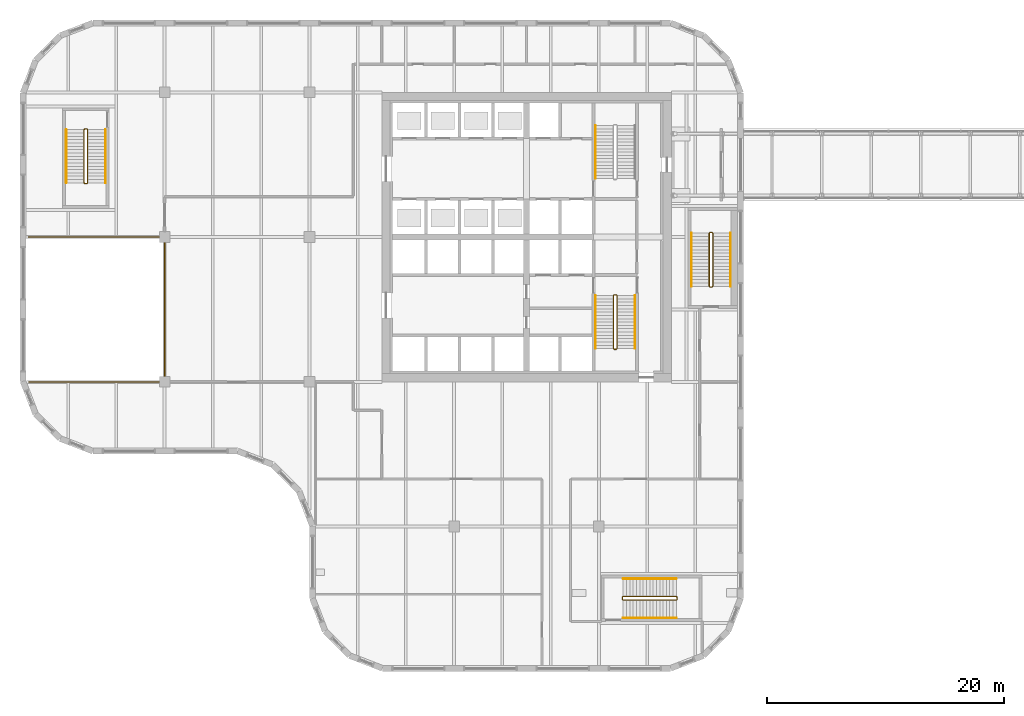
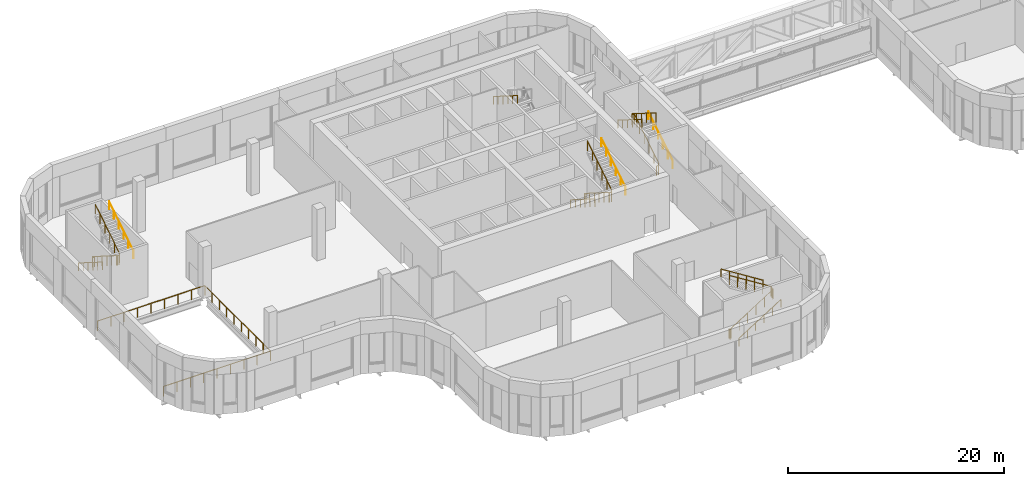
# One storey, part 33 of 36: 14 railings.
"""IFC4 building model written with IfcOpenShell, lengths in metres."""

from ifc_helpers import new_model, si_unit, direction, frame, origin, origin_2d, place, context, subcontext, project, spatial, circle, extrude, material, type_object, element, save


model = new_model("IFC4")

# Units and contexts
model_context = context("Model", 3, precision=1e-05, world=origin(), true_north=direction((0.0, 1.0)))
body_context = subcontext(model_context, "Body", "Model", "MODEL_VIEW")
ifc_project = project(units=[si_unit("LENGTHUNIT", "METRE"), si_unit("AREAUNIT", "SQUARE_METRE"), si_unit("VOLUMEUNIT", "CUBIC_METRE"), si_unit("PLANEANGLEUNIT", "RADIAN"), si_unit("MASSUNIT", "GRAM", prefix="KILO")], contexts=[model_context])

# Site, building, storey
site_placement = place(None, origin())
site = spatial("IfcSite", under=ifc_project, at=site_placement, CompositionType="ELEMENT")
building_placement = place(site_placement, origin())
building = spatial("IfcBuilding", under=site, at=building_placement, Name="Tessera Gate Towers", CompositionType="ELEMENT")
storey_placement = place(building_placement, frame((0.0, 0.0, 106.60009765625)))
storey = spatial("IfcBuildingStorey", under=building, at=storey_placement, Name="L26", CompositionType="ELEMENT", Elevation=106.60009765625)

# Railings
ifc_material_1 = material(Name="Toughened glass with stainless steel handrail", Category="steel")
railing_type_1 = type_object("IfcRailingType", Name="GUARD 1100 GLASS BALUSTRADE", PredefinedType="GUARDRAIL", material=ifc_material_1)
railing_1_placement = place(storey_placement, frame((0.750244140625, 24.39990234375, 0.0)))
element("IfcRailing", 1, at=railing_1_placement, inside=storey, type_object=railing_type_1, Name="Guard", PredefinedType="GUARDRAIL", context=body_context, shape_type="SweptSolid", body=[
    extrude(circle(Radius=0.02490234375, at=origin_2d()), frame((0.0, 0.0, 1.0751953125), z_axis=(1.0, 0.0, 0.0), x_axis=(0.0, 1.0, 0.0)), (0.0, 0.0, 1.0), 11.44970703125),
    extrude(circle(Radius=0.02490234375, at=origin_2d()), frame((11.44970703125, 0.0, 1.0751953125), z_axis=(0.0, 1.0, 0.0), x_axis=(-1.0, 0.0, 0.0)), (0.0, 0.0, 1.0), 12.2001953125),
    extrude(circle(Radius=0.02490234375, at=origin_2d()), frame((11.44970703125, 12.2001953125, 1.0751953125), z_axis=(-1.0, 0.0, 0.0), x_axis=(0.0, -1.0, 0.0)), (0.0, 0.0, 1.0), 11.5),
    extrude(circle(Radius=0.02490234375, at=origin_2d()), origin(), (0.0, 0.0, 1.0), 1.050048828125),
    extrude(circle(Radius=0.02490234375, at=origin_2d()), frame((1.43115234375, 0.0, 0.0)), (0.0, 0.0, 1.0), 1.050048828125),
    extrude(circle(Radius=0.02490234375, at=origin_2d()), frame((2.8623046875, 0.0, 0.0)), (0.0, 0.0, 1.0), 1.050048828125),
    extrude(circle(Radius=0.02490234375, at=origin_2d()), frame((4.293701171875, 0.0, 0.0)), (0.0, 0.0, 1.0), 1.050048828125),
    extrude(circle(Radius=0.02490234375, at=origin_2d()), frame((5.724853515625, 0.0, 0.0)), (0.0, 0.0, 1.0), 1.050048828125),
    extrude(circle(Radius=0.02490234375, at=origin_2d()), frame((7.156005859375, 0.0, 0.0)), (0.0, 0.0, 1.0), 1.050048828125),
    extrude(circle(Radius=0.02490234375, at=origin_2d()), frame((8.58740234375, 0.0, 0.0)), (0.0, 0.0, 1.0), 1.050048828125),
    extrude(circle(Radius=0.02490234375, at=origin_2d()), frame((10.0185546875, 0.0, 0.0)), (0.0, 0.0, 1.0), 1.050048828125),
    extrude(circle(Radius=0.02490234375, at=origin_2d()), frame((11.44970703125, 0.0, 0.0)), (0.0, 0.0, 1.0), 1.050048828125),
    extrude(circle(Radius=0.02490234375, at=origin_2d()), frame((11.44970703125, 1.35546875, 0.0)), (0.0, 0.0, 1.0), 1.050048828125),
    extrude(circle(Radius=0.02490234375, at=origin_2d()), frame((11.44970703125, 2.711181640625, 0.0)), (0.0, 0.0, 1.0), 1.050048828125),
    extrude(circle(Radius=0.02490234375, at=origin_2d()), frame((11.44970703125, 4.066650390625, 0.0)), (0.0, 0.0, 1.0), 1.050048828125),
    extrude(circle(Radius=0.02490234375, at=origin_2d()), frame((11.44970703125, 5.42236328125, 0.0)), (0.0, 0.0, 1.0), 1.050048828125),
    extrude(circle(Radius=0.02490234375, at=origin_2d()), frame((11.44970703125, 6.77783203125, 0.0)), (0.0, 0.0, 1.0), 1.050048828125),
    extrude(circle(Radius=0.02490234375, at=origin_2d()), frame((11.44970703125, 8.133544921875, 0.0)), (0.0, 0.0, 1.0), 1.050048828125),
    extrude(circle(Radius=0.02490234375, at=origin_2d()), frame((11.44970703125, 9.489013671875, 0.0)), (0.0, 0.0, 1.0), 1.050048828125),
    extrude(circle(Radius=0.02490234375, at=origin_2d()), frame((11.44970703125, 10.8447265625, 0.0)), (0.0, 0.0, 1.0), 1.050048828125),
    extrude(circle(Radius=0.02490234375, at=origin_2d()), frame((11.44970703125, 12.2001953125, 0.0)), (0.0, 0.0, 1.0), 1.050048828125),
    extrude(circle(Radius=0.02490234375, at=origin_2d()), frame((10.01220703125, 12.2001953125, 0.0)), (0.0, 0.0, 1.0), 1.050048828125),
    extrude(circle(Radius=0.02490234375, at=origin_2d()), frame((8.57470703125, 12.2001953125, 0.0)), (0.0, 0.0, 1.0), 1.050048828125),
    extrude(circle(Radius=0.02490234375, at=origin_2d()), frame((7.13720703125, 12.2001953125, 0.0)), (0.0, 0.0, 1.0), 1.050048828125),
    extrude(circle(Radius=0.02490234375, at=origin_2d()), frame((5.69970703125, 12.2001953125, 0.0)), (0.0, 0.0, 1.0), 1.050048828125),
    extrude(circle(Radius=0.02490234375, at=origin_2d()), frame((4.26220703125, 12.2001953125, 0.0)), (0.0, 0.0, 1.0), 1.050048828125),
    extrude(circle(Radius=0.02490234375, at=origin_2d()), frame((2.82470703125, 12.2001953125, 0.0)), (0.0, 0.0, 1.0), 1.050048828125),
    extrude(circle(Radius=0.02490234375, at=origin_2d()), frame((1.38720703125, 12.2001953125, 0.0)), (0.0, 0.0, 1.0), 1.050048828125),
    extrude(circle(Radius=0.02490234375, at=origin_2d()), frame((-0.05029296875, 12.2001953125, 0.0)), (0.0, 0.0, 1.0), 1.050048828125),
])
ifc_material_2 = material(Name="Steel 350W", Category="steel")
railing_type_2 = type_object("IfcRailingType", Name="STAIR GUARD 1100", PredefinedType="GUARDRAIL", material=ifc_material_2)
railing_2_placement = place(storey_placement, frame((50.27490234375, 31.72509765625, 0.0)))
element("IfcRailing", 2, at=railing_2_placement, inside=storey, type_object=railing_type_2, Name="L26 ST1 stair guard 1", PredefinedType="GUARDRAIL", context=body_context, shape_type="SweptSolid", body=[
    extrude(circle(Radius=0.02392578125, at=origin_2d()), frame((0.0, 0.0, 1.076171875), z_axis=(-1.0, 0.0, 0.0), x_axis=(0.0, -1.0, 0.0)), (0.0, 0.0, 1.0), 0.199951171875),
    extrude(circle(Radius=0.02392578125, at=origin_2d()), frame((-0.199951171875, 0.0, 1.076171875), z_axis=(-0.263485261471, -0.263485261471, 0.927982237963), x_axis=(0.707106781187, -0.707106781187, 0.0)), (0.0, 0.0, 1.0), 0.18994140625),
    extrude(circle(Radius=0.02392578125, at=origin_2d()), frame((-0.25, -0.050048828125, 1.25244140625), z_axis=(0.0, -0.845977142166, 0.533219162196), x_axis=(1.0, 0.0, 0.0)), (0.0, 0.0, 1.0), 5.295654296875),
    extrude(circle(Radius=0.02392578125, at=origin_2d()), frame((-0.25, -4.530029296875, 4.076171875), z_axis=(0.707106781187, -0.707106781187, 0.0), x_axis=(0.707106781187, 0.707106781187, 0.0)), (0.0, 0.0, 1.0), 0.07080078125),
    extrude(circle(Radius=0.02392578125, at=origin_2d()), frame((-0.199951171875, -4.580078125, 4.076171875), z_axis=(1.0, 0.0, 0.0), x_axis=(0.0, 1.0, 0.0)), (0.0, 0.0, 1.0), 0.199951171875),
    extrude(circle(Radius=0.02392578125, at=origin_2d()), frame((0.0, -4.580078125, 4.076171875), z_axis=(0.263485261471, 0.263485261471, 0.927982237963), x_axis=(-0.707106781187, 0.707106781187, 0.0)), (0.0, 0.0, 1.0), 0.18994140625),
    extrude(circle(Radius=0.02392578125, at=origin_2d()), frame((0.050048828125, -4.530029296875, 4.25244140625), z_axis=(0.0, 0.845977142166, 0.533219162196), x_axis=(-1.0, 0.0, 0.0)), (0.0, 0.0, 1.0), 5.295654296875),
    extrude(circle(Radius=0.02099609375, at=origin_2d()), origin(), (0.0, 0.0, 1.0), 1.052001953125),
    extrude(circle(Radius=0.02099609375, at=origin_2d()), frame((-0.199951171875, 0.0, 0.0)), (0.0, 0.0, 1.0), 1.052001953125),
    extrude(circle(Radius=0.02099609375, at=origin_2d()), frame((-0.25, -0.050048828125, 0.17626953125)), (0.0, 0.0, 1.0), 1.052001953125),
    extrude(circle(Radius=0.02099609375, at=origin_2d()), frame((-0.25, -0.946044921875, 0.740966796875)), (0.0, 0.0, 1.0), 1.052001953125),
    extrude(circle(Radius=0.02099609375, at=origin_2d()), frame((-0.25, -1.842041015625, 1.3056640625)), (0.0, 0.0, 1.0), 1.052001953125),
    extrude(circle(Radius=0.02099609375, at=origin_2d()), frame((-0.25, -2.738037109375, 1.87060546875)), (0.0, 0.0, 1.0), 1.052001953125),
    extrude(circle(Radius=0.02099609375, at=origin_2d()), frame((-0.25, -3.634033203125, 2.435302734375)), (0.0, 0.0, 1.0), 1.052001953125),
    extrude(circle(Radius=0.02099609375, at=origin_2d()), frame((-0.25, -4.530029296875, 3.0)), (0.0, 0.0, 1.0), 1.052001953125),
    extrude(circle(Radius=0.02099609375, at=origin_2d()), frame((-0.199951171875, -4.580078125, 3.0)), (0.0, 0.0, 1.0), 1.052001953125),
    extrude(circle(Radius=0.02099609375, at=origin_2d()), frame((0.0, -4.580078125, 3.0)), (0.0, 0.0, 1.0), 1.052001953125),
    extrude(circle(Radius=0.02099609375, at=origin_2d()), frame((0.050048828125, -4.530029296875, 3.17626953125)), (0.0, 0.0, 1.0), 1.052001953125),
    extrude(circle(Radius=0.02099609375, at=origin_2d()), frame((0.050048828125, -3.634033203125, 3.740966796875)), (0.0, 0.0, 1.0), 1.052001953125),
    extrude(circle(Radius=0.02099609375, at=origin_2d()), frame((0.050048828125, -2.738037109375, 4.3056640625)), (0.0, 0.0, 1.0), 1.052001953125),
    extrude(circle(Radius=0.02099609375, at=origin_2d()), frame((0.050048828125, -1.842041015625, 4.87060546875)), (0.0, 0.0, 1.0), 1.052001953125),
    extrude(circle(Radius=0.02099609375, at=origin_2d()), frame((0.050048828125, -0.946044921875, 5.435302734375)), (0.0, 0.0, 1.0), 1.052001953125),
    extrude(circle(Radius=0.02099609375, at=origin_2d()), frame((0.050048828125, -0.050048828125, 6.0)), (0.0, 0.0, 1.0), 1.052001953125),
])
railing_3_placement = place(storey_placement, frame((5.64990234375, 45.699951171875, 0.0)))
element("IfcRailing", 3, at=railing_3_placement, inside=storey, type_object=railing_type_2, Name="L26 ST3 stair guard 1", PredefinedType="GUARDRAIL", context=body_context, shape_type="SweptSolid", body=[
    extrude(circle(Radius=0.02392578125, at=origin_2d()), frame((0.0, 0.0, 1.076171875), z_axis=(-1.0, 0.0, 0.0), x_axis=(0.0, -1.0, 0.0)), (0.0, 0.0, 1.0), 0.199951171875),
    extrude(circle(Radius=0.02392578125, at=origin_2d()), frame((-0.199951171875, 0.0, 1.076171875), z_axis=(-0.263485261471, -0.263485261471, 0.927982237963), x_axis=(0.707106781187, -0.707106781187, 0.0)), (0.0, 0.0, 1.0), 0.18994140625),
    extrude(circle(Radius=0.02392578125, at=origin_2d()), frame((-0.25, -0.050048828125, 1.25244140625), z_axis=(0.0, -0.845977142166, 0.533219162196), x_axis=(1.0, 0.0, 0.0)), (0.0, 0.0, 1.0), 5.295654296875),
    extrude(circle(Radius=0.02392578125, at=origin_2d()), frame((-0.25, -4.530029296875, 4.076171875), z_axis=(0.708833529934, -0.705375805398, 0.0), x_axis=(0.705375805398, 0.708833529934, 0.0)), (0.0, 0.0, 1.0), 0.070556640625),
    extrude(circle(Radius=0.02392578125, at=origin_2d()), frame((-0.199951171875, -4.579833984375, 4.076171875), z_axis=(1.0, 0.0, 0.0), x_axis=(0.0, 1.0, 0.0)), (0.0, 0.0, 1.0), 0.199951171875),
    extrude(circle(Radius=0.02392578125, at=origin_2d()), frame((0.0, -4.579833984375, 4.076171875), z_axis=(0.263574319836, 0.262288591447, 0.928295897179), x_axis=(-0.705375805398, 0.708833529934, 0.0)), (0.0, 0.0, 1.0), 0.18994140625),
    extrude(circle(Radius=0.02392578125, at=origin_2d()), frame((0.050048828125, -4.530029296875, 4.25244140625), z_axis=(0.0, 0.845977142166, 0.533219162196), x_axis=(-1.0, 0.0, 0.0)), (0.0, 0.0, 1.0), 5.295654296875),
    extrude(circle(Radius=0.02099609375, at=origin_2d()), origin(), (0.0, 0.0, 1.0), 1.052001953125),
    extrude(circle(Radius=0.02099609375, at=origin_2d()), frame((-0.199951171875, 0.0, 0.0)), (0.0, 0.0, 1.0), 1.052001953125),
    extrude(circle(Radius=0.02099609375, at=origin_2d()), frame((-0.25, -0.050048828125, 0.17626953125)), (0.0, 0.0, 1.0), 1.052001953125),
    extrude(circle(Radius=0.02099609375, at=origin_2d()), frame((-0.25, -0.946044921875, 0.740966796875)), (0.0, 0.0, 1.0), 1.052001953125),
    extrude(circle(Radius=0.02099609375, at=origin_2d()), frame((-0.25, -1.842041015625, 1.3056640625)), (0.0, 0.0, 1.0), 1.052001953125),
    extrude(circle(Radius=0.02099609375, at=origin_2d()), frame((-0.25, -2.738037109375, 1.87060546875)), (0.0, 0.0, 1.0), 1.052001953125),
    extrude(circle(Radius=0.02099609375, at=origin_2d()), frame((-0.25, -3.634033203125, 2.435302734375)), (0.0, 0.0, 1.0), 1.052001953125),
    extrude(circle(Radius=0.02099609375, at=origin_2d()), frame((-0.25, -4.530029296875, 3.0)), (0.0, 0.0, 1.0), 1.052001953125),
    extrude(circle(Radius=0.02099609375, at=origin_2d()), frame((-0.199951171875, -4.579833984375, 3.0)), (0.0, 0.0, 1.0), 1.052001953125),
    extrude(circle(Radius=0.02099609375, at=origin_2d()), frame((0.0, -4.579833984375, 3.0)), (0.0, 0.0, 1.0), 1.052001953125),
    extrude(circle(Radius=0.02099609375, at=origin_2d()), frame((0.050048828125, -4.530029296875, 3.17626953125)), (0.0, 0.0, 1.0), 1.052001953125),
    extrude(circle(Radius=0.02099609375, at=origin_2d()), frame((0.050048828125, -3.634033203125, 3.740966796875)), (0.0, 0.0, 1.0), 1.052001953125),
    extrude(circle(Radius=0.02099609375, at=origin_2d()), frame((0.050048828125, -2.738037109375, 4.3056640625)), (0.0, 0.0, 1.0), 1.052001953125),
    extrude(circle(Radius=0.02099609375, at=origin_2d()), frame((0.050048828125, -1.842041015625, 4.87060546875)), (0.0, 0.0, 1.0), 1.052001953125),
    extrude(circle(Radius=0.02099609375, at=origin_2d()), frame((0.050048828125, -0.946044921875, 5.435302734375)), (0.0, 0.0, 1.0), 1.052001953125),
    extrude(circle(Radius=0.02099609375, at=origin_2d()), frame((0.050048828125, -0.050048828125, 6.0)), (0.0, 0.0, 1.0), 1.052001953125),
])
railing_4_placement = place(storey_placement, frame((50.800048828125, 6.25, 0.0)))
element("IfcRailing", 4, at=railing_4_placement, inside=storey, type_object=railing_type_2, Name="L26 ST4 stair guard 1", PredefinedType="GUARDRAIL", context=body_context, shape_type="SweptSolid", body=[
    extrude(circle(Radius=0.02392578125, at=origin_2d()), frame((0.0, 0.0, 1.076171875), z_axis=(0.0, -1.0, 0.0), x_axis=(1.0, 0.0, 0.0)), (0.0, 0.0, 1.0), 0.199951171875),
    extrude(circle(Radius=0.02392578125, at=origin_2d()), frame((0.0, -0.199951171875, 1.076171875), z_axis=(0.263485261471, -0.263485261471, 0.927982237963), x_axis=(0.707106781187, 0.707106781187, 0.0)), (0.0, 0.0, 1.0), 0.18994140625),
    extrude(circle(Radius=0.02392578125, at=origin_2d()), frame((0.050048828125, -0.25, 1.25244140625), z_axis=(0.845977142166, 0.0, 0.533219162196), x_axis=(0.0, 1.0, 0.0)), (0.0, 0.0, 1.0), 5.295654296875),
    extrude(circle(Radius=0.02392578125, at=origin_2d()), frame((4.530029296875, -0.25, 4.076171875), z_axis=(0.705375805398, 0.708833529934, 0.0), x_axis=(-0.708833529934, 0.705375805398, 0.0)), (0.0, 0.0, 1.0), 0.070556640625),
    extrude(circle(Radius=0.02392578125, at=origin_2d()), frame((4.579833984375, -0.199951171875, 4.076171875), z_axis=(0.0, 1.0, 0.0), x_axis=(-1.0, 0.0, 0.0)), (0.0, 0.0, 1.0), 0.199951171875),
    extrude(circle(Radius=0.02392578125, at=origin_2d()), frame((4.579833984375, 0.0, 4.076171875), z_axis=(-0.262288591447, 0.263574319836, 0.928295897179), x_axis=(-0.708833529934, -0.705375805398, 0.0)), (0.0, 0.0, 1.0), 0.18994140625),
    extrude(circle(Radius=0.02392578125, at=origin_2d()), frame((4.530029296875, 0.050048828125, 4.25244140625), z_axis=(-0.845977142166, 0.0, 0.533219162196), x_axis=(0.0, -1.0, 0.0)), (0.0, 0.0, 1.0), 5.295654296875),
    extrude(circle(Radius=0.02099609375, at=origin_2d()), origin(), (0.0, 0.0, 1.0), 1.052001953125),
    extrude(circle(Radius=0.02099609375, at=origin_2d()), frame((0.0, -0.199951171875, 0.0)), (0.0, 0.0, 1.0), 1.052001953125),
    extrude(circle(Radius=0.02099609375, at=origin_2d()), frame((0.050048828125, -0.25, 0.17626953125)), (0.0, 0.0, 1.0), 1.052001953125),
    extrude(circle(Radius=0.02099609375, at=origin_2d()), frame((0.946044921875, -0.25, 0.740966796875)), (0.0, 0.0, 1.0), 1.052001953125),
    extrude(circle(Radius=0.02099609375, at=origin_2d()), frame((1.842041015625, -0.25, 1.3056640625)), (0.0, 0.0, 1.0), 1.052001953125),
    extrude(circle(Radius=0.02099609375, at=origin_2d()), frame((2.738037109375, -0.25, 1.87060546875)), (0.0, 0.0, 1.0), 1.052001953125),
    extrude(circle(Radius=0.02099609375, at=origin_2d()), frame((3.634033203125, -0.25, 2.435302734375)), (0.0, 0.0, 1.0), 1.052001953125),
    extrude(circle(Radius=0.02099609375, at=origin_2d()), frame((4.530029296875, -0.25, 3.0)), (0.0, 0.0, 1.0), 1.052001953125),
    extrude(circle(Radius=0.02099609375, at=origin_2d()), frame((4.579833984375, -0.199951171875, 3.0)), (0.0, 0.0, 1.0), 1.052001953125),
    extrude(circle(Radius=0.02099609375, at=origin_2d()), frame((4.579833984375, 0.0, 3.0)), (0.0, 0.0, 1.0), 1.052001953125),
    extrude(circle(Radius=0.02099609375, at=origin_2d()), frame((4.530029296875, 0.050048828125, 3.17626953125)), (0.0, 0.0, 1.0), 1.052001953125),
    extrude(circle(Radius=0.02099609375, at=origin_2d()), frame((3.634033203125, 0.050048828125, 3.740966796875)), (0.0, 0.0, 1.0), 1.052001953125),
    extrude(circle(Radius=0.02099609375, at=origin_2d()), frame((2.738037109375, 0.050048828125, 4.3056640625)), (0.0, 0.0, 1.0), 1.052001953125),
    extrude(circle(Radius=0.02099609375, at=origin_2d()), frame((1.842041015625, 0.050048828125, 4.87060546875)), (0.0, 0.0, 1.0), 1.052001953125),
    extrude(circle(Radius=0.02099609375, at=origin_2d()), frame((0.946044921875, 0.050048828125, 5.435302734375)), (0.0, 0.0, 1.0), 1.052001953125),
    extrude(circle(Radius=0.02099609375, at=origin_2d()), frame((0.050048828125, 0.050048828125, 6.0)), (0.0, 0.0, 1.0), 1.052001953125),
])
railing_5_placement = place(storey_placement, frame((58.14990234375, 32.39990234375, 0.0)))
element("IfcRailing", 5, at=railing_5_placement, inside=storey, type_object=railing_type_2, Name="L26 ST5 stair guard 1", PredefinedType="GUARDRAIL", context=body_context, shape_type="SweptSolid", body=[
    extrude(circle(Radius=0.02392578125, at=origin_2d()), frame((0.0, 0.0, 1.076171875), z_axis=(1.0, 0.0, 0.0), x_axis=(0.0, 1.0, 0.0)), (0.0, 0.0, 1.0), 0.2001953125),
    extrude(circle(Radius=0.02392578125, at=origin_2d()), frame((0.2001953125, 0.0, 1.076171875), z_axis=(0.262288591447, 0.263574319836, 0.928295897179), x_axis=(-0.708833529934, 0.705375805398, 0.0)), (0.0, 0.0, 1.0), 0.18994140625),
    extrude(circle(Radius=0.02392578125, at=origin_2d()), frame((0.25, 0.050048828125, 1.25244140625), z_axis=(0.0, 0.845977142166, 0.533219162196), x_axis=(-1.0, 0.0, 0.0)), (0.0, 0.0, 1.0), 5.295654296875),
    extrude(circle(Radius=0.02392578125, at=origin_2d()), frame((0.25, 4.530029296875, 4.076171875), z_axis=(-0.705375805398, 0.708833529934, 0.0), x_axis=(-0.708833529934, -0.705375805398, 0.0)), (0.0, 0.0, 1.0), 0.070556640625),
    extrude(circle(Radius=0.02392578125, at=origin_2d()), frame((0.2001953125, 4.580078125, 4.076171875), z_axis=(-1.0, 0.0, 0.0), x_axis=(0.0, -1.0, 0.0)), (0.0, 0.0, 1.0), 0.2001953125),
    extrude(circle(Radius=0.02392578125, at=origin_2d()), frame((0.0, 4.580078125, 4.076171875), z_axis=(-0.262288591447, -0.263574319836, 0.928295897179), x_axis=(0.708833529934, -0.705375805398, 0.0)), (0.0, 0.0, 1.0), 0.18994140625),
    extrude(circle(Radius=0.02392578125, at=origin_2d()), frame((-0.0498046875, 4.530029296875, 4.25244140625), z_axis=(0.0, -0.845977142166, 0.533219162196), x_axis=(1.0, 0.0, 0.0)), (0.0, 0.0, 1.0), 5.295654296875),
    extrude(circle(Radius=0.02099609375, at=origin_2d()), origin(), (0.0, 0.0, 1.0), 1.052001953125),
    extrude(circle(Radius=0.02099609375, at=origin_2d()), frame((0.2001953125, 0.0, 0.0)), (0.0, 0.0, 1.0), 1.052001953125),
    extrude(circle(Radius=0.02099609375, at=origin_2d()), frame((0.25, 0.050048828125, 0.17626953125)), (0.0, 0.0, 1.0), 1.052001953125),
    extrude(circle(Radius=0.02099609375, at=origin_2d()), frame((0.25, 0.946044921875, 0.740966796875)), (0.0, 0.0, 1.0), 1.052001953125),
    extrude(circle(Radius=0.02099609375, at=origin_2d()), frame((0.25, 1.842041015625, 1.3056640625)), (0.0, 0.0, 1.0), 1.052001953125),
    extrude(circle(Radius=0.02099609375, at=origin_2d()), frame((0.25, 2.738037109375, 1.87060546875)), (0.0, 0.0, 1.0), 1.052001953125),
    extrude(circle(Radius=0.02099609375, at=origin_2d()), frame((0.25, 3.634033203125, 2.435302734375)), (0.0, 0.0, 1.0), 1.052001953125),
    extrude(circle(Radius=0.02099609375, at=origin_2d()), frame((0.25, 4.530029296875, 3.0)), (0.0, 0.0, 1.0), 1.052001953125),
    extrude(circle(Radius=0.02099609375, at=origin_2d()), frame((0.2001953125, 4.580078125, 3.0)), (0.0, 0.0, 1.0), 1.052001953125),
    extrude(circle(Radius=0.02099609375, at=origin_2d()), frame((0.0, 4.580078125, 3.0)), (0.0, 0.0, 1.0), 1.052001953125),
    extrude(circle(Radius=0.02099609375, at=origin_2d()), frame((-0.0498046875, 4.530029296875, 3.17626953125)), (0.0, 0.0, 1.0), 1.052001953125),
    extrude(circle(Radius=0.02099609375, at=origin_2d()), frame((-0.0498046875, 3.634033203125, 3.740966796875)), (0.0, 0.0, 1.0), 1.052001953125),
    extrude(circle(Radius=0.02099609375, at=origin_2d()), frame((-0.0498046875, 2.738037109375, 4.3056640625)), (0.0, 0.0, 1.0), 1.052001953125),
    extrude(circle(Radius=0.02099609375, at=origin_2d()), frame((-0.0498046875, 1.842041015625, 4.87060546875)), (0.0, 0.0, 1.0), 1.052001953125),
    extrude(circle(Radius=0.02099609375, at=origin_2d()), frame((-0.0498046875, 0.946044921875, 5.435302734375)), (0.0, 0.0, 1.0), 1.052001953125),
    extrude(circle(Radius=0.02099609375, at=origin_2d()), frame((-0.0498046875, 0.050048828125, 6.0)), (0.0, 0.0, 1.0), 1.052001953125),
])
ifc_material_3 = material(Name="Steel 350W", Category="steel")
railing_type_3 = type_object("IfcRailingType", Name="STAIR HANDRAIL 900", PredefinedType="HANDRAIL", material=ifc_material_3)
railing_6_placement = place(storey_placement, frame((48.52490234375, 31.675048828125, 0.17626953125)))
element("IfcRailing", 6, at=railing_6_placement, inside=storey, type_object=railing_type_3, Name="L26 ST1 stair handrail 1", PredefinedType="HANDRAIL", context=body_context, shape_type="SweptSolid", body=[
    extrude(circle(Radius=0.02392578125, at=origin_2d()), frame((0.0, 0.0, 0.8759765625), z_axis=(0.0, -0.845977142166, 0.533219162196), x_axis=(1.0, 0.0, 0.0)), (0.0, 0.0, 1.0), 5.295654296875),
    extrude(circle(Radius=0.02099609375, at=origin_2d()), origin(), (0.0, 0.0, 1.0), 0.851806640625),
    extrude(circle(Radius=0.02099609375, at=origin_2d()), frame((0.0, -0.89599609375, 0.564697265625)), (0.0, 0.0, 1.0), 0.851806640625),
    extrude(circle(Radius=0.02099609375, at=origin_2d()), frame((0.0, -1.7919921875, 1.12939453125)), (0.0, 0.0, 1.0), 0.851806640625),
    extrude(circle(Radius=0.02099609375, at=origin_2d()), frame((0.0, -2.68798828125, 1.6943359375)), (0.0, 0.0, 1.0), 0.851806640625),
    extrude(circle(Radius=0.02099609375, at=origin_2d()), frame((0.0, -3.583984375, 2.259033203125)), (0.0, 0.0, 1.0), 0.851806640625),
    extrude(circle(Radius=0.02099609375, at=origin_2d()), frame((0.0, -4.47998046875, 2.82373046875)), (0.0, 0.0, 1.0), 0.851806640625),
])
railing_7_placement = place(storey_placement, frame((51.824951171875, 27.195068359375, 3.17626953125)))
element("IfcRailing", 7, at=railing_7_placement, inside=storey, type_object=railing_type_3, Name="L26 ST1 stair handrail 2", PredefinedType="HANDRAIL", context=body_context, shape_type="SweptSolid", body=[
    extrude(circle(Radius=0.02392578125, at=origin_2d()), frame((0.0, 0.0, 0.8759765625), z_axis=(0.0, 0.845977142166, 0.533219162196), x_axis=(-1.0, 0.0, 0.0)), (0.0, 0.0, 1.0), 5.295654296875),
    extrude(circle(Radius=0.02099609375, at=origin_2d()), origin(), (0.0, 0.0, 1.0), 0.851806640625),
    extrude(circle(Radius=0.02099609375, at=origin_2d()), frame((0.0, 0.89599609375, 0.564697265625)), (0.0, 0.0, 1.0), 0.851806640625),
    extrude(circle(Radius=0.02099609375, at=origin_2d()), frame((0.0, 1.7919921875, 1.12939453125)), (0.0, 0.0, 1.0), 0.851806640625),
    extrude(circle(Radius=0.02099609375, at=origin_2d()), frame((0.0, 2.68798828125, 1.6943359375)), (0.0, 0.0, 1.0), 0.851806640625),
    extrude(circle(Radius=0.02099609375, at=origin_2d()), frame((0.0, 3.583984375, 2.259033203125)), (0.0, 0.0, 1.0), 0.851806640625),
    extrude(circle(Radius=0.02099609375, at=origin_2d()), frame((0.0, 4.47998046875, 2.82373046875)), (0.0, 0.0, 1.0), 0.851806640625),
])
for number, where, name in (
    (8, (48.52490234375, 46.0048828125, 3.17626953125), "L26 ST2 stair handrail 2"),
    (9, (3.89990234375, 45.64990234375, 0.17626953125), "L26 ST3 stair handrail 1"),
):
    element("IfcRailing", number, at=place(storey_placement, frame(where)), inside=storey, type_object=railing_type_3, Name=name, PredefinedType="HANDRAIL", context=body_context, shape_type="SweptSolid", body=[
        extrude(circle(Radius=0.02392578125, at=origin_2d()), frame((0.0, 0.0, 0.8759765625), z_axis=(0.0, -0.845977142166, 0.533219162196), x_axis=(1.0, 0.0, 0.0)), (0.0, 0.0, 1.0), 5.295654296875),
        extrude(circle(Radius=0.02099609375, at=origin_2d()), origin(), (0.0, 0.0, 1.0), 0.851806640625),
        extrude(circle(Radius=0.02099609375, at=origin_2d()), frame((0.0, -0.89599609375, 0.564697265625)), (0.0, 0.0, 1.0), 0.851806640625),
        extrude(circle(Radius=0.02099609375, at=origin_2d()), frame((0.0, -1.7919921875, 1.12939453125)), (0.0, 0.0, 1.0), 0.851806640625),
        extrude(circle(Radius=0.02099609375, at=origin_2d()), frame((0.0, -2.68798828125, 1.6943359375)), (0.0, 0.0, 1.0), 0.851806640625),
        extrude(circle(Radius=0.02099609375, at=origin_2d()), frame((0.0, -3.583984375, 2.259033203125)), (0.0, 0.0, 1.0), 0.851806640625),
        extrude(circle(Radius=0.02099609375, at=origin_2d()), frame((0.0, -4.47998046875, 2.82373046875)), (0.0, 0.0, 1.0), 0.851806640625),
    ])
railing_8_placement = place(storey_placement, frame((7.199951171875, 41.169921875, 3.17626953125)))
element("IfcRailing", 10, at=railing_8_placement, inside=storey, type_object=railing_type_3, Name="L26 ST3 stair handrail 2", PredefinedType="HANDRAIL", context=body_context, shape_type="SweptSolid", body=[
    extrude(circle(Radius=0.02392578125, at=origin_2d()), frame((0.0, 0.0, 0.8759765625), z_axis=(0.0, 0.845977142166, 0.533219162196), x_axis=(-1.0, 0.0, 0.0)), (0.0, 0.0, 1.0), 5.295654296875),
    extrude(circle(Radius=0.02099609375, at=origin_2d()), origin(), (0.0, 0.0, 1.0), 0.851806640625),
    extrude(circle(Radius=0.02099609375, at=origin_2d()), frame((0.0, 0.89599609375, 0.564697265625)), (0.0, 0.0, 1.0), 0.851806640625),
    extrude(circle(Radius=0.02099609375, at=origin_2d()), frame((0.0, 1.7919921875, 1.12939453125)), (0.0, 0.0, 1.0), 0.851806640625),
    extrude(circle(Radius=0.02099609375, at=origin_2d()), frame((0.0, 2.68798828125, 1.6943359375)), (0.0, 0.0, 1.0), 0.851806640625),
    extrude(circle(Radius=0.02099609375, at=origin_2d()), frame((0.0, 3.583984375, 2.259033203125)), (0.0, 0.0, 1.0), 0.851806640625),
    extrude(circle(Radius=0.02099609375, at=origin_2d()), frame((0.0, 4.47998046875, 2.82373046875)), (0.0, 0.0, 1.0), 0.851806640625),
])
railing_9_placement = place(storey_placement, frame((50.85009765625, 4.5, 0.17626953125)))
element("IfcRailing", 11, at=railing_9_placement, inside=storey, type_object=railing_type_3, Name="L26 ST4 stair handrail 1", PredefinedType="HANDRAIL", context=body_context, shape_type="SweptSolid", body=[
    extrude(circle(Radius=0.02392578125, at=origin_2d()), frame((0.0, 0.0, 0.8759765625), z_axis=(0.845977142166, 0.0, 0.533219162196), x_axis=(0.0, 1.0, 0.0)), (0.0, 0.0, 1.0), 5.295654296875),
    extrude(circle(Radius=0.02099609375, at=origin_2d()), origin(), (0.0, 0.0, 1.0), 0.851806640625),
    extrude(circle(Radius=0.02099609375, at=origin_2d()), frame((0.89599609375, 0.0, 0.564697265625)), (0.0, 0.0, 1.0), 0.851806640625),
    extrude(circle(Radius=0.02099609375, at=origin_2d()), frame((1.7919921875, 0.0, 1.12939453125)), (0.0, 0.0, 1.0), 0.851806640625),
    extrude(circle(Radius=0.02099609375, at=origin_2d()), frame((2.68798828125, 0.0, 1.6943359375)), (0.0, 0.0, 1.0), 0.851806640625),
    extrude(circle(Radius=0.02099609375, at=origin_2d()), frame((3.583984375, 0.0, 2.259033203125)), (0.0, 0.0, 1.0), 0.851806640625),
    extrude(circle(Radius=0.02099609375, at=origin_2d()), frame((4.47998046875, 0.0, 2.82373046875)), (0.0, 0.0, 1.0), 0.851806640625),
])
railing_10_placement = place(storey_placement, frame((55.330078125, 7.800048828125, 3.17626953125)))
element("IfcRailing", 12, at=railing_10_placement, inside=storey, type_object=railing_type_3, Name="L26 ST4 stair handrail 2", PredefinedType="HANDRAIL", context=body_context, shape_type="SweptSolid", body=[
    extrude(circle(Radius=0.02392578125, at=origin_2d()), frame((0.0, 0.0, 0.8759765625), z_axis=(-0.845977142166, 0.0, 0.533219162196), x_axis=(0.0, -1.0, 0.0)), (0.0, 0.0, 1.0), 5.295654296875),
    extrude(circle(Radius=0.02099609375, at=origin_2d()), origin(), (0.0, 0.0, 1.0), 0.851806640625),
    extrude(circle(Radius=0.02099609375, at=origin_2d()), frame((-0.89599609375, 0.0, 0.564697265625)), (0.0, 0.0, 1.0), 0.851806640625),
    extrude(circle(Radius=0.02099609375, at=origin_2d()), frame((-1.7919921875, 0.0, 1.12939453125)), (0.0, 0.0, 1.0), 0.851806640625),
    extrude(circle(Radius=0.02099609375, at=origin_2d()), frame((-2.68798828125, 0.0, 1.6943359375)), (0.0, 0.0, 1.0), 0.851806640625),
    extrude(circle(Radius=0.02099609375, at=origin_2d()), frame((-3.583984375, 0.0, 2.259033203125)), (0.0, 0.0, 1.0), 0.851806640625),
    extrude(circle(Radius=0.02099609375, at=origin_2d()), frame((-4.47998046875, 0.0, 2.82373046875)), (0.0, 0.0, 1.0), 0.851806640625),
])
railing_11_placement = place(storey_placement, frame((59.89990234375, 32.449951171875, 0.17626953125)))
element("IfcRailing", 13, at=railing_11_placement, inside=storey, type_object=railing_type_3, Name="L26 ST5 stair handrail 1", PredefinedType="HANDRAIL", context=body_context, shape_type="SweptSolid", body=[
    extrude(circle(Radius=0.02392578125, at=origin_2d()), frame((0.0, 0.0, 0.8759765625), z_axis=(0.0, 0.845977142166, 0.533219162196), x_axis=(-1.0, 0.0, 0.0)), (0.0, 0.0, 1.0), 5.295654296875),
    extrude(circle(Radius=0.02099609375, at=origin_2d()), origin(), (0.0, 0.0, 1.0), 0.851806640625),
    extrude(circle(Radius=0.02099609375, at=origin_2d()), frame((0.0, 0.89599609375, 0.564697265625)), (0.0, 0.0, 1.0), 0.851806640625),
    extrude(circle(Radius=0.02099609375, at=origin_2d()), frame((0.0, 1.7919921875, 1.12939453125)), (0.0, 0.0, 1.0), 0.851806640625),
    extrude(circle(Radius=0.02099609375, at=origin_2d()), frame((0.0, 2.68798828125, 1.6943359375)), (0.0, 0.0, 1.0), 0.851806640625),
    extrude(circle(Radius=0.02099609375, at=origin_2d()), frame((0.0, 3.583984375, 2.259033203125)), (0.0, 0.0, 1.0), 0.851806640625),
    extrude(circle(Radius=0.02099609375, at=origin_2d()), frame((0.0, 4.47998046875, 2.82373046875)), (0.0, 0.0, 1.0), 0.851806640625),
])
railing_12_placement = place(storey_placement, frame((56.60009765625, 36.929931640625, 3.17626953125)))
element("IfcRailing", 14, at=railing_12_placement, inside=storey, type_object=railing_type_3, Name="L26 ST5 stair handrail 2", PredefinedType="HANDRAIL", context=body_context, shape_type="SweptSolid", body=[
    extrude(circle(Radius=0.02392578125, at=origin_2d()), frame((0.0, 0.0, 0.8759765625), z_axis=(0.0, -0.845977142166, 0.533219162196), x_axis=(1.0, 0.0, 0.0)), (0.0, 0.0, 1.0), 5.295654296875),
    extrude(circle(Radius=0.02099609375, at=origin_2d()), origin(), (0.0, 0.0, 1.0), 0.851806640625),
    extrude(circle(Radius=0.02099609375, at=origin_2d()), frame((0.0, -0.89599609375, 0.564697265625)), (0.0, 0.0, 1.0), 0.851806640625),
    extrude(circle(Radius=0.02099609375, at=origin_2d()), frame((0.0, -1.7919921875, 1.12939453125)), (0.0, 0.0, 1.0), 0.851806640625),
    extrude(circle(Radius=0.02099609375, at=origin_2d()), frame((0.0, -2.68798828125, 1.6943359375)), (0.0, 0.0, 1.0), 0.851806640625),
    extrude(circle(Radius=0.02099609375, at=origin_2d()), frame((0.0, -3.583984375, 2.259033203125)), (0.0, 0.0, 1.0), 0.851806640625),
    extrude(circle(Radius=0.02099609375, at=origin_2d()), frame((0.0, -4.47998046875, 2.82373046875)), (0.0, 0.0, 1.0), 0.851806640625),
])

save(model, "model.ifc")
